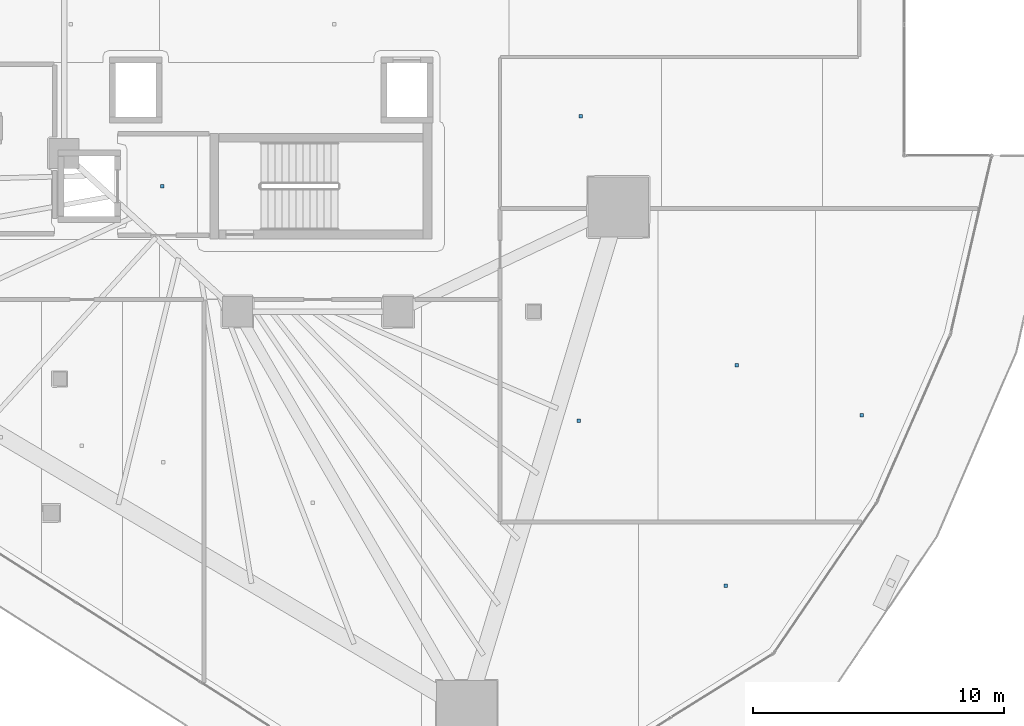
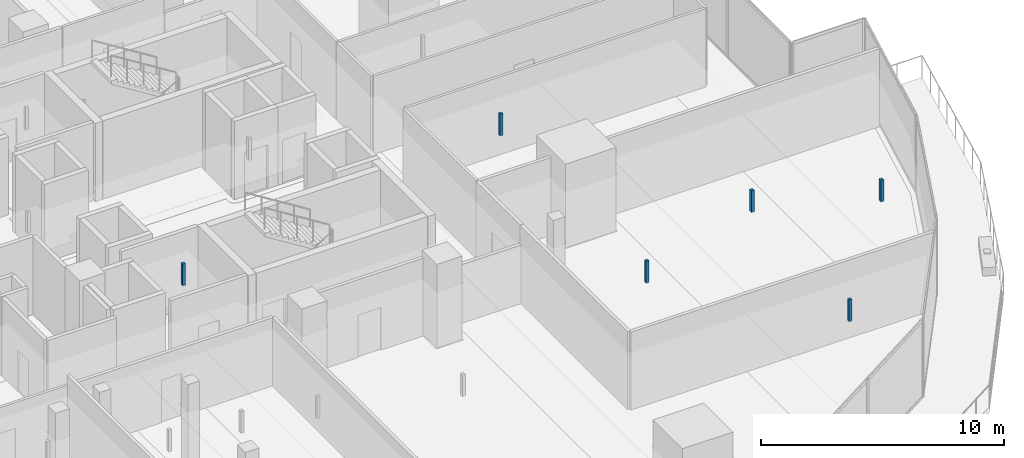
# One storey, part 32 of 44: 6 discrete accessories.
"""IFC4 building model written with IfcOpenShell, lengths in metres."""

from ifc_helpers import new_model, si_unit, direction, frame, origin, origin_2d, place, context, subcontext, project, spatial, rectangle, extrude, material, type_object, element, save


model = new_model("IFC4")

# Units and contexts
model_context = context("Model", 3, precision=1e-05, world=origin(), true_north=direction((0.0, 1.0)))
body_context = subcontext(model_context, "Body", "Model", "MODEL_VIEW")
ifc_project = project(units=[si_unit("LENGTHUNIT", "METRE"), si_unit("AREAUNIT", "SQUARE_METRE"), si_unit("VOLUMEUNIT", "CUBIC_METRE"), si_unit("PLANEANGLEUNIT", "RADIAN"), si_unit("MASSUNIT", "GRAM", prefix="KILO")], contexts=[model_context])

# Site, building, storey
site_placement = place(None, origin())
site = spatial("IfcSite", under=ifc_project, at=site_placement, CompositionType="ELEMENT")
building_placement = place(site_placement, origin())
building = spatial("IfcBuilding", under=site, at=building_placement, Name="Qorvath Tower", CompositionType="ELEMENT")
storey_placement = place(building_placement, frame((0.0, 0.0, 70.199951171875)))
storey = spatial("IfcBuildingStorey", under=building, at=storey_placement, Name="L15", CompositionType="ELEMENT", Elevation=70.199951171875)

# Discrete accessories
ifc_material = material(Name="Galvanised steel bracket", Category="steel")
discrete_accessory_type = type_object("IfcDiscreteAccessoryType", Name="DA-BRACKET", PredefinedType="BRACKET", material=ifc_material)
for number, where, z_axis, x_axis, name in (
    (1, (-26.590087890625, -6.449951171875, 2.85986328125), (0.0, 0.0, 1.0), (1.0, 0.0, 0.0), "Acoustic Ceiling Suspension Hanger T1-L15-002"),
    (2, (-4.159423828125, -22.352294921875, 2.85986328125), (0.0, 0.0, 1.0), (1.0, 0.0, 0.0), "Acoustic Ceiling Suspension Hanger T1-L15-024"),
    (3, (-9.99853515625, -15.794189453125, 2.85986328125), (0.0, 0.0, 1.0), (1.0, 0.0, 0.0), "Acoustic Ceiling Suspension Hanger T1-L15-025"),
    (4, (-3.721923828125, -13.57373046875, 2.85986328125), (0.0, 0.0, 1.0), (1.0, 0.0, 0.0), "Acoustic Ceiling Suspension Hanger T1-L15-026"),
    (5, (1.260009765625, -15.578857421875, 2.85986328125), (0.0, 0.0, 1.0), (1.0, 0.0, 0.0), "Acoustic Ceiling Suspension Hanger T1-L15-027"),
    (6, (-9.92724609375, -3.664794921875, 2.85986328125), (0.0, 0.0, 1.0), (1.0, 0.0, 0.0), "Acoustic Ceiling Suspension Hanger T1-L15-028"),
):
    element("IfcDiscreteAccessory", number, at=place(storey_placement, frame(where, z_axis=z_axis, x_axis=x_axis)), inside=storey, type_object=discrete_accessory_type, Name=name, PredefinedType="NOTDEFINED", context=body_context, shape_type="SweptSolid", body=[
        extrude(rectangle(XDim=0.139892578125, YDim=0.139892578125, at=origin_2d()), origin(), (0.0, 0.0, 1.0), 1.090087890625),
    ])

save(model, "model.ifc")
